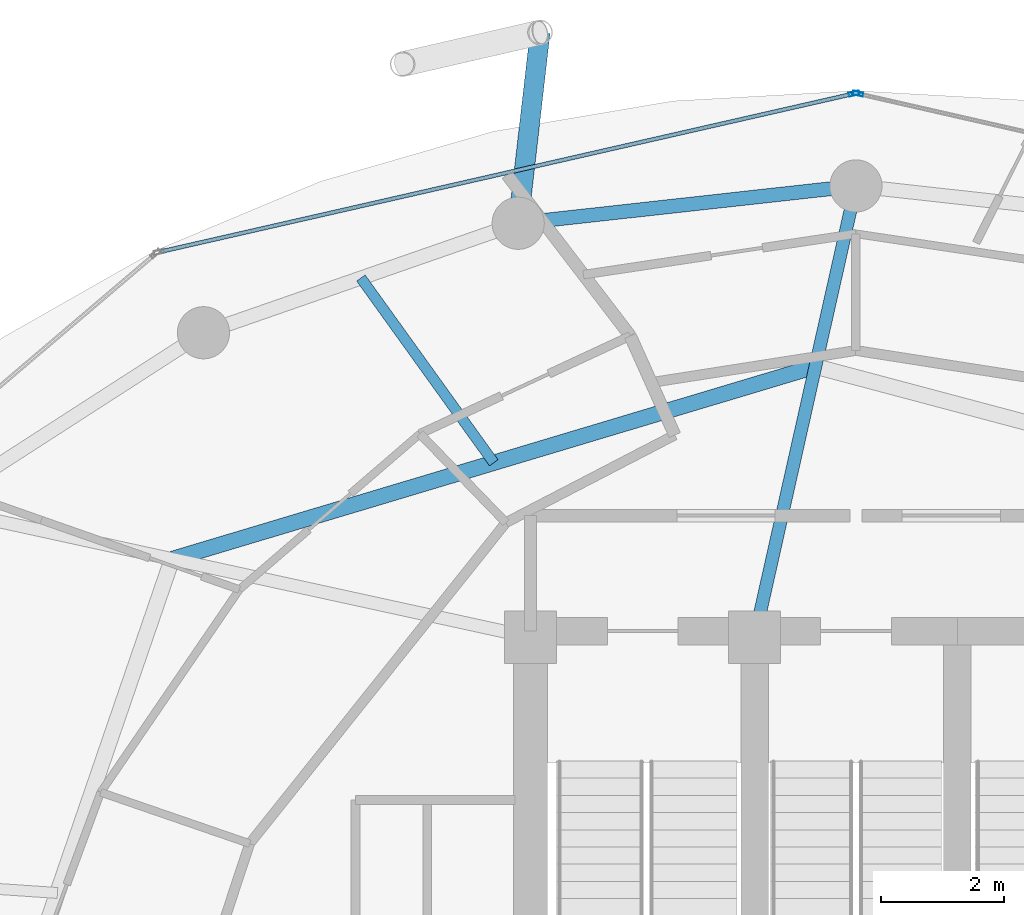
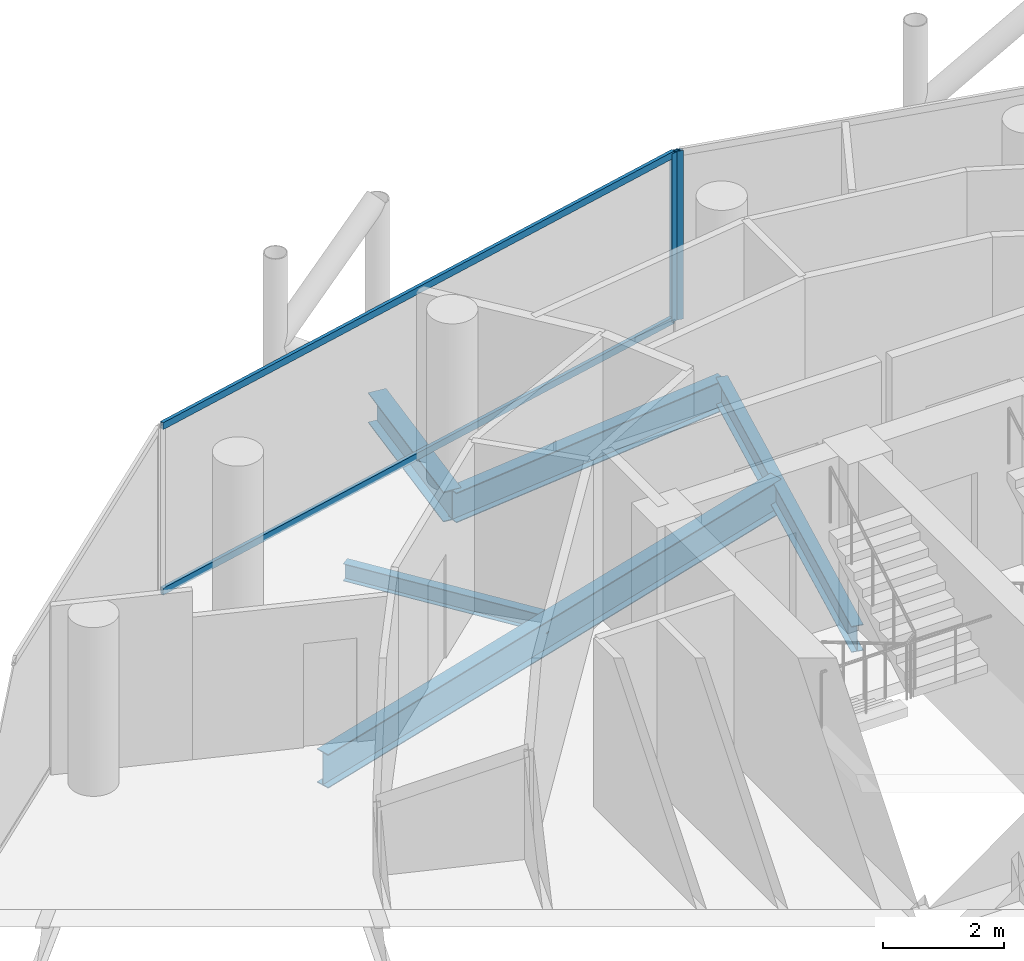
# One storey, part 19 of 27: 5 beams, 4 members, 2 elements without a shape of their own.
"""IFC4 building model written with IfcOpenShell, lengths in metres."""

import ifcopenshell
import ifcopenshell.guid

model = None  # the IFC model being written
_history = None  # IfcOwnerHistory: only IFC2X3 demands one
_inside = {}  # id of a spatial element -> (the spatial element, [elements in it])
_under = {}  # id of a project, library or spatial element -> (it, [spatial elements below it])
_declared = {}  # id of a project -> (the project, [libraries it declares])
_typed = {}  # id of a type object -> (the type object, [elements of that type])
_made_of = {}  # id of a material, layer set ... -> (it, [elements and type objects made of it])


def new_model(schema):
    """Start an empty IFC model of exactly this schema.

    Asked for "IFC4X3", IfcOpenShell would pick the latest addendum, in which some entities
    have other attributes; the version numbers below select the first issue.
    IFC2X3 requires an IfcOwnerHistory on every rooted entity: one is made here for all.
    """
    global model, _history
    if schema == "IFC4X3":
        model = ifcopenshell.file(schema_version=(4, 3, 0, 0))
    else:
        model = ifcopenshell.file(schema=schema)
    _inside.clear()
    _under.clear()
    _declared.clear()
    _typed.clear()
    _made_of.clear()
    _history = None
    if model.schema == "IFC2X3":
        org = make("IfcOrganization", Name="unknown")
        user = make(
            "IfcPersonAndOrganization",
            ThePerson=make("IfcPerson", FamilyName="unknown"),
            TheOrganization=org,
        )
        app = make(
            "IfcApplication",
            ApplicationDeveloper=org,
            Version="unknown",
            ApplicationFullName="unknown",
            ApplicationIdentifier="unknown",
        )
        _history = make(
            "IfcOwnerHistory",
            OwningUser=user,
            OwningApplication=app,
            ChangeAction="ADDED",
            CreationDate=0,
        )
    return model


def make(cls, **values):
    """One entity of the class cls with the attributes given. An attribute that is None is left unset."""
    return model.create_entity(
        cls, **{name: value for name, value in values.items() if value is not None}
    )


def rooted(cls, **values):
    """An entity with a GlobalId (a new one), such as an element, a storey or a relation."""
    return make(cls, GlobalId=ifcopenshell.guid.new(), OwnerHistory=_history, **values)


def si_unit(unit_type, name, prefix=None):
    """IfcSIUnit, for example si_unit("LENGTHUNIT", "METRE", prefix="MILLI")."""
    return make("IfcSIUnit", UnitType=unit_type, Prefix=prefix, Name=name)


def assignment(units):
    """IfcUnitAssignment: the units of a project."""
    return None if units is None else make("IfcUnitAssignment", Units=units)


def point(xyz):
    """IfcCartesianPoint."""
    return None if xyz is None else make("IfcCartesianPoint", Coordinates=xyz)


def direction(xyz):
    """IfcDirection."""
    return None if xyz is None else make("IfcDirection", DirectionRatios=xyz)


def frame(location, z_axis=None, x_axis=None):
    """IfcAxis2Placement3D, a coordinate frame: its origin and axes. An axis left out is left unset."""
    return make(
        "IfcAxis2Placement3D",
        Location=point(location),
        Axis=direction(z_axis),
        RefDirection=direction(x_axis),
    )


def frame_2d(location, x_axis=None):
    """IfcAxis2Placement2D, a coordinate frame in the plane: its origin and x axis."""
    return make(
        "IfcAxis2Placement2D", Location=point(location), RefDirection=direction(x_axis)
    )


def origin():
    """The frame at (0, 0, 0) with its axes left unset."""
    return frame((0.0, 0.0, 0.0))


def origin_2d():
    """The frame at (0, 0) in the plane with its x axis left unset."""
    return frame_2d((0.0, 0.0))


def place(relative_to, where):
    """IfcLocalPlacement: puts the frame where relative to a parent placement (None: the world)."""
    return make(
        "IfcLocalPlacement", PlacementRelTo=relative_to, RelativePlacement=where
    )


def context(
    kind, dimensions, precision=None, world=None, true_north=None, identifier=None
):
    """IfcGeometricRepresentationContext, for example the 3D "Model" context."""
    return make(
        "IfcGeometricRepresentationContext",
        ContextIdentifier=identifier,
        ContextType=kind,
        CoordinateSpaceDimension=dimensions,
        Precision=precision,
        WorldCoordinateSystem=world,
        TrueNorth=true_north,
    )


def subcontext(parent, identifier, kind, view, scale=None):
    """IfcGeometricRepresentationSubContext, for example "Body" below "Model"."""
    return make(
        "IfcGeometricRepresentationSubContext",
        ContextIdentifier=identifier,
        ContextType=kind,
        ParentContext=parent,
        TargetScale=scale,
        TargetView=view,
    )


def project(units=None, contexts=None):
    """IfcProject with its units and contexts."""
    return rooted(
        "IfcProject",
        Name="project",
        RepresentationContexts=contexts,
        UnitsInContext=assignment(units),
    )


def spatial(cls, under=None, at=None, **own):
    """A site, building, storey or space (cls), placed at a placement, below another one or the project."""
    s = rooted(cls, ObjectPlacement=at, **own)
    if under is not None:
        _under.setdefault(under.id(), (under, []))[1].append(s)
    return s


def profile(cls, at=None, kind="AREA", **sizes):
    """A parametric profile (cls). Its sizes go by their IFC names, for example OverallWidth=200.0."""
    return make(cls, ProfileType=kind, Position=at, **sizes)


def hollow_rectangle(**sizes):
    """IfcRectangleHollowProfileDef."""
    return profile("IfcRectangleHollowProfileDef", **sizes)


def i_section(**sizes):
    """IfcIShapeProfileDef."""
    return profile("IfcIShapeProfileDef", **sizes)


def extrude(swept, where, along, depth):
    """IfcExtrudedAreaSolid: the profile swept, set in the frame where, extruded along a direction by depth."""
    return make(
        "IfcExtrudedAreaSolid",
        SweptArea=swept,
        Position=where,
        ExtrudedDirection=direction(along),
        Depth=depth,
    )


def shape(context_of_items, identifier, shape_type, items):
    """IfcShapeRepresentation: the items that make up one representation, for example the "Body"."""
    return make(
        "IfcShapeRepresentation",
        ContextOfItems=context_of_items,
        RepresentationIdentifier=identifier,
        RepresentationType=shape_type,
        Items=items,
    )


def material(Name=None, Category=None):
    """IfcMaterial."""
    return make("IfcMaterial", Name=Name, Category=Category)


def layer(
    of_material, thickness, ventilated=None, Name=None, Category=None, Priority=None
):
    """IfcMaterialLayer: one layer of a wall or slab, of a material (None: an air gap)."""
    return make(
        "IfcMaterialLayer",
        Material=of_material,
        LayerThickness=thickness,
        IsVentilated=ventilated,
        Name=Name,
        Category=Category,
        Priority=Priority,
    )


def layer_set(layers, Name=None):
    """IfcMaterialLayerSet."""
    return make("IfcMaterialLayerSet", MaterialLayers=layers, LayerSetName=Name)


def material_profile(
    of_material, cross_section, Name=None, Category=None, Priority=None
):
    """IfcMaterialProfile: a cross section and its material."""
    return make(
        "IfcMaterialProfile",
        Name=Name,
        Material=of_material,
        Profile=cross_section,
        Priority=Priority,
        Category=Category,
    )


def profile_set(profiles, Name=None, composite=None):
    """IfcMaterialProfileSet."""
    return make(
        "IfcMaterialProfileSet",
        Name=Name,
        MaterialProfiles=profiles,
        CompositeProfile=composite,
    )


def made_of(thing, what):
    """Note that an element or type object is made of a material, layer set ...; save() writes the relation."""
    if what is not None:
        _made_of.setdefault(what.id(), (what, []))[1].append(thing)
    return thing


def type_object(cls, material=None, **own):
    """A type object (cls), such as IfcWallType, which elements share."""
    return made_of(rooted(cls, **own), material)


def element(
    cls,
    number,
    at=None,
    inside=None,
    cuts=None,
    type_object=None,
    material=None,
    context=None,
    identifier="Body",
    shape_type=None,
    held_by="IfcProductDefinitionShape",
    body=None,
    shapes=None,
    **own,
):
    """One element of the class cls, such as IfcWall. Its Tag is "e" and its number.

    at: its placement. inside: the storey or other place that contains it. cuts: it is an
    opening in that element (IfcRelVoidsElement). A single representation is given by context,
    identifier, shape_type and body (its items); several are given by shapes. held_by: the class
    of the entity that holds the representations. save() writes the other relations.
    """
    e = rooted(cls, Tag="e%d" % number, ObjectPlacement=at, **own)
    if body is not None:
        shapes = [shape(context, identifier, shape_type, body)]
    if shapes is not None:
        e.Representation = make(held_by, Representations=shapes)
    if inside is not None:
        _inside.setdefault(inside.id(), (inside, []))[1].append(e)
    if cuts is not None:
        rooted(
            "IfcRelVoidsElement", RelatingBuildingElement=cuts, RelatedOpeningElement=e
        )
    if type_object is not None:
        _typed.setdefault(type_object.id(), (type_object, []))[1].append(e)
    return made_of(e, material)


def aggregate(whole, parts):
    """IfcRelAggregates: a whole, such as a stair, and the parts it consists of."""
    return rooted("IfcRelAggregates", RelatingObject=whole, RelatedObjects=parts)


def save(model, path):
    """Write the relations noted so far, then the file.

    IfcRelAggregates (storeys below a building ...), IfcRelContainedInSpatialStructure (elements
    in a storey), IfcRelDefinesByType, IfcRelAssociatesMaterial and IfcRelDeclares: one each for
    every whole, place, type object, material and project.
    """
    for whole, parts in _under.values():
        aggregate(whole, parts)
    for where, things in _inside.values():
        rooted(
            "IfcRelContainedInSpatialStructure",
            RelatedElements=things,
            RelatingStructure=where,
        )
    for kind, things in _typed.values():
        rooted("IfcRelDefinesByType", RelatedObjects=things, RelatingType=kind)
    for what, things in _made_of.values():
        rooted("IfcRelAssociatesMaterial", RelatedObjects=things, RelatingMaterial=what)
    for by, libraries in _declared.values():
        rooted("IfcRelDeclares", RelatingContext=by, RelatedDefinitions=libraries)
    model.write(path)


model = new_model("IFC4")

# Units and contexts
model_context = context("Model", 3, precision=1e-05, world=origin(), true_north=direction((0.0, 1.0)))
body_context = subcontext(model_context, "Body", "Model", "MODEL_VIEW")
ifc_project = project(units=[si_unit("LENGTHUNIT", "METRE"), si_unit("AREAUNIT", "SQUARE_METRE"), si_unit("VOLUMEUNIT", "CUBIC_METRE"), si_unit("PLANEANGLEUNIT", "RADIAN"), si_unit("MASSUNIT", "GRAM", prefix="KILO")], contexts=[model_context])

# Site, building, storey
site_placement = place(None, origin())
site = spatial("IfcSite", under=ifc_project, at=site_placement, CompositionType="ELEMENT")
building_placement = place(site_placement, origin())
building = spatial("IfcBuilding", under=site, at=building_placement, Name="Nuhasar Tower", CompositionType="ELEMENT")
storey_placement = place(building_placement, frame((0.0, 0.0, 208.14990234375)))
storey = spatial("IfcBuildingStorey", under=building, at=storey_placement, Name="L50", CompositionType="ELEMENT", Elevation=208.14990234375)

# Beams
ifc_material_1 = material(Name="Steel S355", Category="steel")
ifc_material_profile_1 = material_profile(ifc_material_1, i_section(OverallWidth=0.25390625, OverallDepth=0.68408203125, WebThickness=0.012451171875, FlangeThickness=0.018798828125, at=origin_2d()), Name="W27X94")
ifc_profile_set_1 = profile_set([ifc_material_profile_1], Name="Steel S355")
beam_type_1 = type_object("IfcBeamType", Name="BM-INRING-W27X94", PredefinedType="BEAM", material=ifc_profile_set_1)
beam_1_placement = place(storey_placement, frame((38.340087890625, 41.7099609375, -0.581787109375), z_axis=(-0.957973628187, -0.28685628405, 0.0), x_axis=(0.28685628405, -0.957973628187, 0.0)))
element("IfcBeam", 1, at=beam_1_placement, inside=storey, type_object=beam_type_1, Name="L50 Inner Header Beam 06", PredefinedType="BEAM", context=body_context, shape_type="SweptSolid", body=[
    extrude(i_section(OverallWidth=0.25390625, OverallDepth=0.68408203125, WebThickness=0.012451171875, FlangeThickness=0.018798828125, at=origin_2d()), origin(), (0.0, 0.0, 1.0), 10.935546875),
])
ifc_material_profile_2 = material_profile(ifc_material_1, i_section(OverallWidth=0.1708984375, OverallDepth=0.35205078125, WebThickness=0.0068359375, FlangeThickness=0.009765625, at=origin_2d()), Name="W14X30")
ifc_profile_set_2 = profile_set([ifc_material_profile_2], Name="Steel S355")
beam_type_2 = type_object("IfcBeamType", Name="BM-JST-W14X30", PredefinedType="JOIST", material=ifc_profile_set_2)
beam_2_placement = place(storey_placement, frame((33.10205078125, 40.14208984375, -0.416015625), z_axis=(-0.58390205555, 0.811824112431, 0.0), x_axis=(-0.811824112431, -0.58390205555, 0.0)))
element("IfcBeam", 2, at=beam_2_placement, inside=storey, type_object=beam_type_2, Name="L50 Secondary Floor Joist 06", PredefinedType="JOIST", context=body_context, shape_type="SweptSolid", body=[
    extrude(i_section(OverallWidth=0.1708984375, OverallDepth=0.35205078125, WebThickness=0.0068359375, FlangeThickness=0.009765625, at=origin_2d()), origin(), (0.0, 0.0, 1.0), 3.706298828125),
])
ifc_material_profile_3 = material_profile(ifc_material_1, i_section(OverallWidth=0.208984375, OverallDepth=0.528076171875, WebThickness=0.009521484375, FlangeThickness=0.01318359375, at=origin_2d()), Name="W21X55")
ifc_profile_set_3 = profile_set([ifc_material_profile_3], Name="Steel S355")
beam_type_3 = type_object("IfcBeamType", Name="BM-RAD-W21X55", PredefinedType="BEAM", material=ifc_profile_set_3)
beam_3_placement = place(storey_placement, frame((37.35009765625, 37.300048828125, -0.50390625), z_axis=(0.219030156142, 0.975718089768, 0.0), x_axis=(-0.975718089768, 0.219030156142, 0.0)))
element("IfcBeam", 3, at=beam_3_placement, inside=storey, type_object=beam_type_3, Name="L50 Radial Floor Girder 06", PredefinedType="BEAM", context=body_context, shape_type="SweptSolid", body=[
    extrude(i_section(OverallWidth=0.208984375, OverallDepth=0.528076171875, WebThickness=0.009521484375, FlangeThickness=0.01318359375, at=origin_2d()), origin(), (0.0, 0.0, 1.0), 7.53271484375),
])
ifc_material_profile_4 = material_profile(ifc_material_1, i_section(OverallWidth=0.22802734375, OverallDepth=0.60791015625, WebThickness=0.01123046875, FlangeThickness=0.017333984375, at=origin_2d()), Name="W24X76")
ifc_profile_set_4 = profile_set([ifc_material_profile_4], Name="Steel S355")
beam_type_4 = type_object("IfcBeamType", Name="BM-RING-W24X76", PredefinedType="SPANDREL", material=ifc_profile_set_4)
beam_4_placement = place(storey_placement, frame((39.0, 44.64990234375, -0.5439453125), z_axis=(-0.993947060915, -0.109860093292, 0.0), x_axis=(0.109860093292, -0.993947060915, 0.0)))
element("IfcBeam", 4, at=beam_4_placement, inside=storey, type_object=beam_type_4, Name="L50 Perimeter Ring Spandrel 07", PredefinedType="SPANDREL", context=body_context, shape_type="SweptSolid", body=[
    extrude(i_section(OverallWidth=0.22802734375, OverallDepth=0.60791015625, WebThickness=0.01123046875, FlangeThickness=0.017333984375, at=origin_2d()), origin(), (0.0, 0.0, 1.0), 5.533447265625),
])
ifc_material_profile_5 = material_profile(ifc_material_1, i_section(OverallWidth=0.323974609375, OverallDepth=0.611083984375, WebThickness=0.0126953125, FlangeThickness=0.01904296875, at=origin_2d()), Name="W24X104")
ifc_profile_set_5 = profile_set([ifc_material_profile_5], Name="Steel S355")
beam_type_5 = type_object("IfcBeamType", Name="BM-TIE-W24X104", PredefinedType="BEAM", material=ifc_profile_set_5)
beam_5_placement = place(storey_placement, frame((33.5, 44.0419921875, -0.544921875), z_axis=(0.114132222314, 0.993465568517, 0.0), x_axis=(-0.993465568517, 0.114132222314, 0.0)))
element("IfcBeam", 5, at=beam_5_placement, inside=storey, type_object=beam_type_5, Name="L50 Exoskeleton Node Tie Beam 04", PredefinedType="BEAM", context=body_context, shape_type="SweptSolid", body=[
    extrude(i_section(OverallWidth=0.323974609375, OverallDepth=0.611083984375, WebThickness=0.0126953125, FlangeThickness=0.01904296875, at=origin_2d()), origin(), (0.0, 0.0, 1.0), 3.12744140625),
])

# Curtain wall, member
ifc_material_2 = material(Name="Aluminium 6063-T6", Category="aluminium")
ifc_layer = layer(ifc_material_2, 0.18994140625)
ifc_layer_set = layer_set([ifc_layer], Name="Aluminium 6063-T6")
curtain_wall_type = type_object("IfcCurtainWallType", Name="CW-Z3-RES", PredefinedType="NOTDEFINED", material=ifc_layer_set)
curtain_wall_1_placement = place(storey_placement, origin())
curtain_wall_1 = element("IfcCurtainWall", 6, at=curtain_wall_1_placement, inside=storey, type_object=curtain_wall_type, Name="L50 Unitised Curtain Wall 03", PredefinedType="NOTDEFINED")
ifc_material_profile_6 = material_profile(ifc_material_2, hollow_rectangle(XDim=0.06494140625, YDim=0.169921875, WallThickness=0.0048828125, at=origin_2d()), Name="CWM-4")
ifc_profile_set_6 = profile_set([ifc_material_profile_6], Name="Aluminium 6063-T6")
member_type_1 = type_object("IfcMemberType", Name="CW-MUL-S4", PredefinedType="MULLION", material=ifc_profile_set_6)
member_1_placement = place(storey_placement, frame((39.03173828125, 46.15283203125, 0.0), z_axis=(0.0, 0.0, 1.0), x_axis=(-0.222243176313, -0.974991266926, 0.0)))
member_1 = element("IfcMember", 7, at=member_1_placement, type_object=member_type_1, Name="CW-Z3 mullion 2", PredefinedType="MULLION", context=body_context, shape_type="SweptSolid", body=[
    extrude(hollow_rectangle(XDim=0.06494140625, YDim=0.169921875, WallThickness=0.0048828125, at=origin_2d()), origin(), (0.0, 0.0, 1.0), 3.41015625),
])
aggregate(curtain_wall_1, [member_1])

# Curtain wall, members
curtain_wall_2_placement = place(storey_placement, origin())
curtain_wall_2 = element("IfcCurtainWall", 8, at=curtain_wall_2_placement, inside=storey, type_object=curtain_wall_type, Name="L50 Unitised Curtain Wall 04", PredefinedType="NOTDEFINED")
member_2_placement = place(storey_placement, frame((38.96826171875, 46.15283203125, 0.0), z_axis=(0.0, 0.0, 1.0), x_axis=(0.222243176313, -0.974991266926, 0.0)))
member_2 = element("IfcMember", 9, at=member_2_placement, type_object=member_type_1, Name="CW-Z3 mullion 1", PredefinedType="MULLION", context=body_context, shape_type="SweptSolid", body=[
    extrude(hollow_rectangle(XDim=0.06494140625, YDim=0.169921875, WallThickness=0.0048828125, at=origin_2d()), origin(), (0.0, 0.0, 1.0), 3.41015625),
])
ifc_material_profile_7 = material_profile(ifc_material_2, hollow_rectangle(XDim=0.06494140625, YDim=0.139892578125, WallThickness=0.00439453125, at=origin_2d()), Name="CWT-4")
ifc_profile_set_7 = profile_set([ifc_material_profile_7], Name="Aluminium 6063-T6")
member_type_2 = type_object("IfcMemberType", Name="CW-TRN-S4", PredefinedType="USERDEFINED", material=ifc_profile_set_7)
member_3_placement = place(storey_placement, frame((38.9365234375, 46.1455078125, 0.03271484375), z_axis=(-0.974994070913, -0.222230874732, 0.0), x_axis=(0.222230874732, -0.974994070913, 0.0)))
member_3 = element("IfcMember", 10, at=member_3_placement, type_object=member_type_2, Name="CW-Z3 transom 1.1", ObjectType="TRANSOM", PredefinedType="USERDEFINED", context=body_context, shape_type="SweptSolid", body=[
    extrude(hollow_rectangle(XDim=0.06494140625, YDim=0.139892578125, WallThickness=0.00439453125, at=origin_2d()), origin(), (0.0, 0.0, 1.0), 11.541748046875),
])
member_4_placement = place(storey_placement, frame((38.9365234375, 46.1455078125, 3.377685546875), z_axis=(-0.974994070913, -0.222230874732, 0.0), x_axis=(0.222230874732, -0.974994070913, 0.0)))
member_4 = element("IfcMember", 11, at=member_4_placement, type_object=member_type_2, Name="CW-Z3 transom 1.2", ObjectType="TRANSOM", PredefinedType="USERDEFINED", context=body_context, shape_type="SweptSolid", body=[
    extrude(hollow_rectangle(XDim=0.06494140625, YDim=0.139892578125, WallThickness=0.00439453125, at=origin_2d()), origin(), (0.0, 0.0, 1.0), 11.541748046875),
])
aggregate(curtain_wall_2, [member_2, member_3, member_4])

save(model, "model.ifc")
